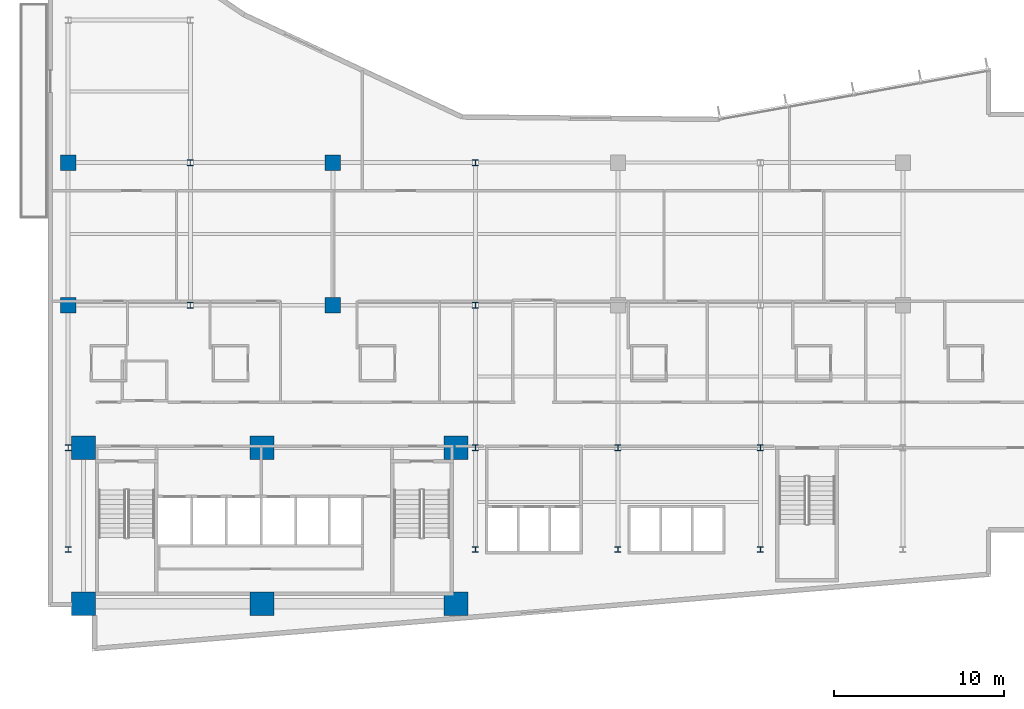
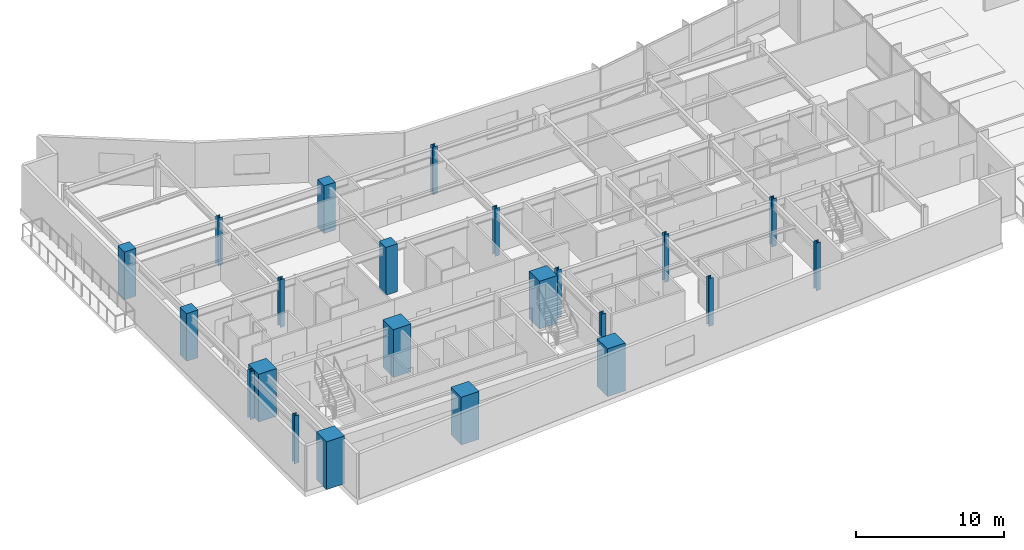
# One storey, part 1 of 20: 22 columns.
"""IFC4 building model written with IfcOpenShell, lengths in metres."""

from ifc_helpers import new_model, si_unit, direction, frame, origin, origin_2d, place, context, subcontext, project, spatial, rectangle, i_section, extrude, material, material_profile, profile_set, type_object, element, save


model = new_model("IFC4")

# Units and contexts
model_context = context("Model", 3, precision=1e-05, world=origin(), true_north=direction((0.0, 1.0)))
body_context = subcontext(model_context, "Body", "Model", "MODEL_VIEW")
ifc_project = project(units=[si_unit("LENGTHUNIT", "METRE"), si_unit("AREAUNIT", "SQUARE_METRE"), si_unit("VOLUMEUNIT", "CUBIC_METRE"), si_unit("PLANEANGLEUNIT", "RADIAN"), si_unit("MASSUNIT", "GRAM", prefix="KILO")], contexts=[model_context])

# Site, building, storey
site_placement = place(None, origin())
site = spatial("IfcSite", under=ifc_project, at=site_placement, CompositionType="ELEMENT")
building_placement = place(site_placement, origin())
building = spatial("IfcBuilding", under=site, at=building_placement, Name="Varnakote Quay Hospital", CompositionType="ELEMENT")
storey_placement = place(building_placement, frame((0.0, 0.0, 22.5)))
storey = spatial("IfcBuildingStorey", under=building, at=storey_placement, Name="L05", CompositionType="ELEMENT", Elevation=22.5)

# Columns
ifc_material_1 = material(Name="Concrete N80 (f'c 80 MPa)", Category="concrete")
ifc_material_profile_1 = material_profile(ifc_material_1, rectangle(XDim=1.39990234375, YDim=1.39990234375, at=origin_2d()), Name="RC-COL-1400x1400")
ifc_profile_set_1 = profile_set([ifc_material_profile_1], Name="Concrete N80 (f'c 80 MPa)")
column_type_1 = type_object("IfcColumnType", Name="COL-RC-1400", PredefinedType="COLUMN", material=ifc_profile_set_1)
for number, where, z_axis, x_axis, name in (
    (1, (2.10009765625, 2.800048828125, 0.0), (0.0, 0.0, 1.0), (1.0, 0.0, 0.0), "L05 Structural Column C-2-3"),
    (2, (12.6201171875, 2.800048828125, 0.0), (0.0, 0.0, 1.0), (1.0, 0.0, 0.0), "L05 Structural Column C-13-3"),
    (3, (24.050048828125, 2.800048828125, 0.0), (0.0, 0.0, 1.0), (1.0, 0.0, 0.0), "L05 Structural Column C-24-3"),
    (4, (2.10009765625, 12.0, 0.0), (0.0, 0.0, 1.0), (1.0, 0.0, 0.0), "L05 Structural Column C-2-12"),
    (5, (12.6201171875, 12.0, 0.0), (0.0, 0.0, 1.0), (1.0, 0.0, 0.0), "L05 Structural Column C-13-12"),
    (6, (24.050048828125, 12.0, 0.0), (0.0, 0.0, 1.0), (1.0, 0.0, 0.0), "L05 Structural Column C-24-12"),
):
    element("IfcColumn", number, at=place(storey_placement, frame(where, z_axis=z_axis, x_axis=x_axis)), inside=storey, type_object=column_type_1, Name=name, PredefinedType="COLUMN", context=body_context, shape_type="SweptSolid", body=[
        extrude(rectangle(XDim=1.39990234375, YDim=1.39990234375, at=origin_2d()), origin(), (0.0, 0.0, 1.0), 3.949951171875),
    ])
ifc_material_2 = material(Name="Concrete N50 (f'c 50 MPa)", Category="concrete")
ifc_material_profile_2 = material_profile(ifc_material_2, rectangle(XDim=0.89990234375, YDim=0.89990234375, at=origin_2d()), Name="RC-COL-900x900")
ifc_profile_set_2 = profile_set([ifc_material_profile_2], Name="Concrete N50 (f'c 50 MPa)")
column_type_2 = type_object("IfcColumnType", Name="COL-RC-900", PredefinedType="COLUMN", material=ifc_profile_set_2)
for number, where, z_axis, x_axis, name in (
    (7, (1.199951171875, 20.39990234375, 0.0), (0.0, 0.0, 1.0), (1.0, 0.0, 0.0), "L05 Structural Column C-1-20"),
    (8, (16.800048828125, 20.39990234375, 0.0), (0.0, 0.0, 1.0), (1.0, 0.0, 0.0), "L05 Structural Column C-17-20"),
    (9, (1.199951171875, 28.800048828125, 0.0), (0.0, 0.0, 1.0), (1.0, 0.0, 0.0), "L05 Structural Column C-1-29"),
    (10, (16.800048828125, 28.800048828125, 0.0), (0.0, 0.0, 1.0), (1.0, 0.0, 0.0), "L05 Structural Column C-17-29"),
):
    element("IfcColumn", number, at=place(storey_placement, frame(where, z_axis=z_axis, x_axis=x_axis)), inside=storey, type_object=column_type_2, Name=name, PredefinedType="COLUMN", context=body_context, shape_type="SweptSolid", body=[
        extrude(rectangle(XDim=0.89990234375, YDim=0.89990234375, at=origin_2d()), origin(), (0.0, 0.0, 1.0), 3.949951171875),
    ])
ifc_material_3 = material(Name="Structural steel AS/NZS 3678 Grade 350 (fy 340 MPa)", Category="steel")
ifc_material_profile_3 = material_profile(ifc_material_3, i_section(OverallWidth=0.35009765625, OverallDepth=0.340087890625, WebThickness=0.01611328125, FlangeThickness=0.028076171875, at=origin_2d()), Name="350WC197")
ifc_profile_set_3 = profile_set([ifc_material_profile_3], Name="Structural steel AS/NZS 3678 Grade 350 (fy 340 MPa)")
column_type_3 = type_object("IfcColumnType", Name="COL-STL-350WC197", PredefinedType="COLUMN", material=ifc_profile_set_3)
for number, where, z_axis, x_axis, name in (
    (11, (1.199951171875, 6.0, 0.0), (0.0, 0.0, 1.0), (1.0, 0.0, 0.0), "L05 Structural Column C-1-6"),
    (12, (25.199951171875, 6.0, 0.0), (0.0, 0.0, 1.0), (1.0, 0.0, 0.0), "L05 Structural Column C-25-6"),
    (13, (33.60009765625, 6.0, 0.0), (0.0, 0.0, 1.0), (1.0, 0.0, 0.0), "L05 Structural Column C-34-6"),
    (14, (42.0, 6.0, 0.0), (0.0, 0.0, 1.0), (1.0, 0.0, 0.0), "L05 Structural Column C-42-6"),
    (15, (1.199951171875, 12.0, 0.0), (0.0, 0.0, 1.0), (1.0, 0.0, 0.0), "L05 Structural Column C-1-12"),
    (16, (25.199951171875, 12.0, 0.0), (0.0, 0.0, 1.0), (1.0, 0.0, 0.0), "L05 Structural Column C-25-12"),
    (17, (33.60009765625, 12.0, 0.0), (0.0, 0.0, 1.0), (1.0, 0.0, 0.0), "L05 Structural Column C-34-12"),
    (18, (42.0, 12.0, 0.0), (0.0, 0.0, 1.0), (1.0, 0.0, 0.0), "L05 Structural Column C-42-12"),
    (19, (8.39990234375, 20.39990234375, 0.0), (0.0, 0.0, 1.0), (1.0, 0.0, 0.0), "L05 Structural Column C-8-20"),
    (20, (25.199951171875, 20.39990234375, 0.0), (0.0, 0.0, 1.0), (1.0, 0.0, 0.0), "L05 Structural Column C-25-20"),
    (21, (8.39990234375, 28.800048828125, 0.0), (0.0, 0.0, 1.0), (1.0, 0.0, 0.0), "L05 Structural Column C-8-29"),
    (22, (25.199951171875, 28.800048828125, 0.0), (0.0, 0.0, 1.0), (1.0, 0.0, 0.0), "L05 Structural Column C-25-29"),
):
    element("IfcColumn", number, at=place(storey_placement, frame(where, z_axis=z_axis, x_axis=x_axis)), inside=storey, type_object=column_type_3, Name=name, PredefinedType="COLUMN", context=body_context, shape_type="SweptSolid", body=[
        extrude(i_section(OverallWidth=0.35009765625, OverallDepth=0.340087890625, WebThickness=0.01611328125, FlangeThickness=0.028076171875, at=origin_2d()), origin(), (0.0, 0.0, 1.0), 3.949951171875),
    ])

save(model, "model.ifc")
